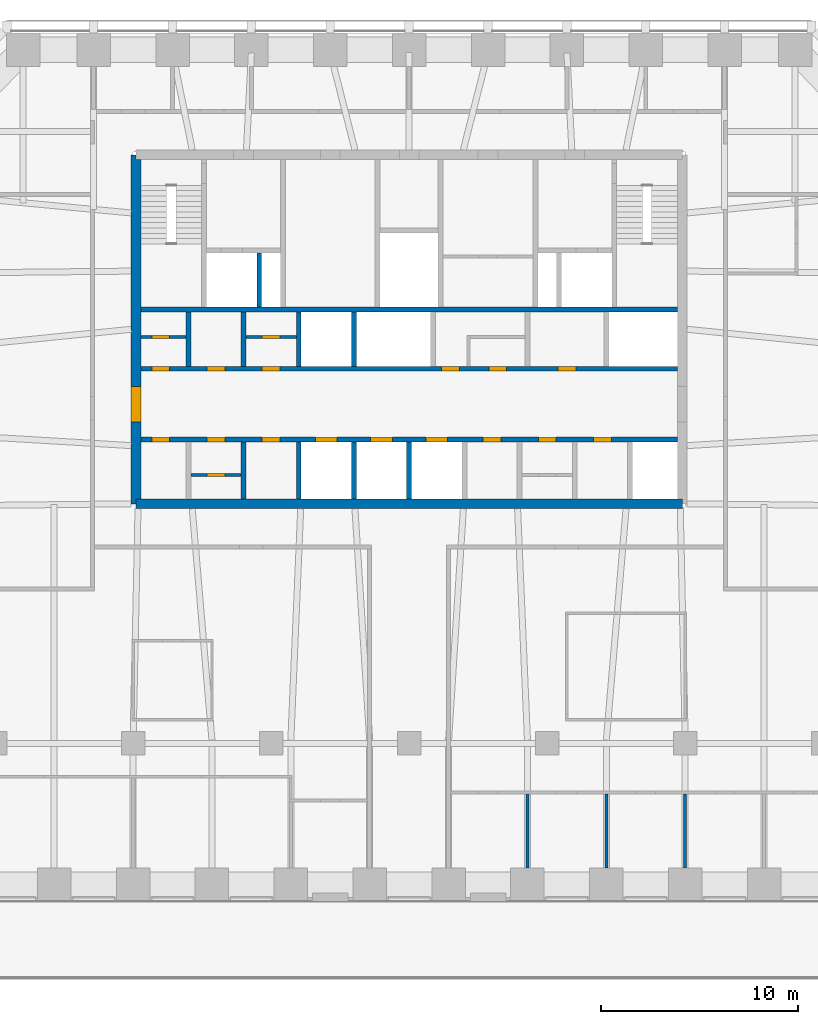
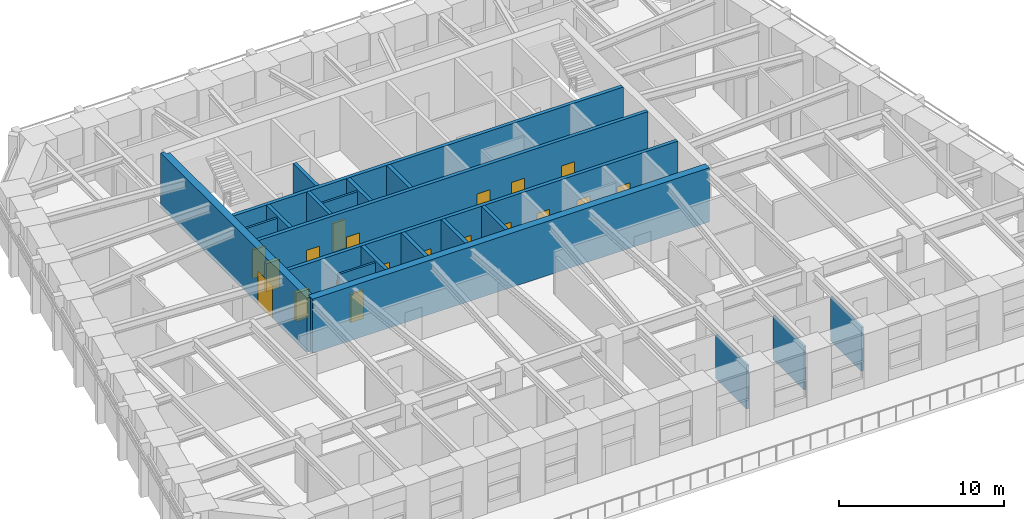
# One storey, part 6 of 10: 20 walls, 19 doors, 19 openings.
"""IFC4 building model written with IfcOpenShell, lengths in metres."""

from ifc_helpers import new_model, si_unit, direction, frame, frame_2d, origin, place, context, subcontext, project, spatial, polyline, rectangle, outline, extrude, material, layer, layer_set, type_object, element, fill, save


model = new_model("IFC4")

# Units and contexts
model_context = context("Model", 3, precision=1e-05, world=origin(), true_north=direction((0.0, 1.0)))
body_context = subcontext(model_context, "Body", "Model", "MODEL_VIEW")
ifc_project = project(units=[si_unit("LENGTHUNIT", "METRE"), si_unit("AREAUNIT", "SQUARE_METRE"), si_unit("VOLUMEUNIT", "CUBIC_METRE"), si_unit("PLANEANGLEUNIT", "RADIAN"), si_unit("MASSUNIT", "GRAM", prefix="KILO")], contexts=[model_context])

# Site, building, storey
site_placement = place(None, origin())
site = spatial("IfcSite", under=ifc_project, at=site_placement, CompositionType="ELEMENT")
building_placement = place(site_placement, origin())
building = spatial("IfcBuilding", under=site, at=building_placement, Name="Isbrekke Arena Tower", CompositionType="ELEMENT")
storey_placement = place(building_placement, frame((0.0, 0.0, 260.0)))
storey = spatial("IfcBuildingStorey", under=building, at=storey_placement, Name="L60", CompositionType="ELEMENT", Elevation=260.0)

# Wall
ifc_material_1 = material(Name="Concrete B55 (C55/67)", Category="concrete")
ifc_layer_1 = layer(ifc_material_1, 0.5)
ifc_layer_set_1 = layer_set([ifc_layer_1], Name="CW5 CORE WALL 500")
wall_type_1 = type_object("IfcWallType", Name="CW5 CORE WALL 500", PredefinedType="SHEAR", material=ifc_layer_set_1)
wall_1_placement = place(storey_placement, frame((-13.85009765625, 6.14990234375, 0.0), z_axis=(0.0, 0.0, 1.0), x_axis=(1.0, 0.0, 0.0)))
element("IfcWall", 1, at=wall_1_placement, inside=storey, type_object=wall_type_1, Name="Core wall S L60", PredefinedType="SHEAR", context=body_context, shape_type="SweptSolid", body=[
    extrude(rectangle(XDim=27.7001953125, YDim=0.5, at=frame_2d((13.85009765625, 0.0))), origin(), (0.0, 0.0, 1.0), 4.0),
])

# Wall, opening, door
wall_2_placement = place(storey_placement, frame((-13.85009765625, 23.85009765625, 0.0), z_axis=(0.0, 0.0, 1.0), x_axis=(0.0, -1.0, 0.0)))
wall_2 = element("IfcWall", 2, at=wall_2_placement, inside=storey, type_object=wall_type_1, Name="Core wall W L60", PredefinedType="SHEAR", context=body_context, shape_type="SweptSolid", body=[
    extrude(outline(polyline([(0.0, -0.25), (17.7001953125, -0.25), (17.7001953125, 0.0), (17.4501953125, 0.0), (17.4501953125, 0.25), (0.25, 0.25), (0.25, 0.0), (0.0, 0.0), (0.0, -0.25)])), origin(), (0.0, 0.0, 1.0), 4.0),
])
opening_1_placement = place(wall_2_placement, frame((11.75, 0.0, 0.0)))
opening_1 = element("IfcOpeningElement", 3, at=opening_1_placement, cuts=wall_2, Name="Opening D1", PredefinedType="OPENING", context=body_context, shape_type="SweptSolid", body=[
    extrude(rectangle(XDim=1.800048828125, YDim=2.39990234375, at=frame_2d((0.89990234375, 1.199951171875))), frame((0.0, 0.264892578125, 0.0), z_axis=(0.0, -1.0, 0.0), x_axis=(1.0, 0.0, 0.0)), (0.0, 0.0, 1.0), 0.52978515625),
])
ifc_material_2 = material(Name="Steel-framed glazed fire door", Category="steel")
door_type_1 = type_object("IfcDoorType", Name="D1 CORE LOBBY DOOR 1800 x 2400", OperationType="DOUBLE_DOOR_SINGLE_SWING", PredefinedType="DOOR", material=ifc_material_2)
door_1_placement = place(opening_1_placement, origin())
door_1 = element("IfcDoor", 4, at=door_1_placement, inside=storey, type_object=door_type_1, Name="D1 lift lobby door west L60", OperationType="DOUBLE_DOOR_SINGLE_SWING", OverallHeight=2.39990234375, OverallWidth=1.800048828125, PredefinedType="DOOR", context=body_context, shape_type="SweptSolid", body=[
    extrude(rectangle(XDim=1.800048828125, YDim=2.39990234375, at=frame_2d((0.89990234375, 1.199951171875))), frame((0.0, 0.249755859375, 0.0), z_axis=(0.0, -1.0, 0.0), x_axis=(1.0, 0.0, 0.0)), (0.0, 0.0, 1.0), 0.49951171875),
])
fill(opening_1, door_1)

# Wall, openings, doors
ifc_material_3 = material(Name="Concrete B45 (C45/55)", Category="concrete")
ifc_layer_2 = layer(ifc_material_3, 0.25)
ifc_layer_set_2 = layer_set([ifc_layer_2], Name="CW6 SHAFT WALL 250")
wall_type_2 = type_object("IfcWallType", Name="CW6 SHAFT WALL 250", PredefinedType="SHEAR", material=ifc_layer_set_2)
wall_3_placement = place(storey_placement, frame((-13.60009765625, 9.39990234375, 0.0), z_axis=(0.0, 0.0, 1.0), x_axis=(1.0, 0.0, 0.0)))
wall_3 = element("IfcWall", 5, at=wall_3_placement, inside=storey, type_object=wall_type_2, Name="Core wall LS L60", PredefinedType="SHEAR", context=body_context, shape_type="SweptSolid", body=[
    extrude(rectangle(XDim=27.2001953125, YDim=0.25, at=frame_2d((13.60009765625, 0.0))), origin(), (0.0, 0.0, 1.0), 4.0),
])
opening_2_placement = place(wall_3_placement, frame((8.85009765625, 0.0, 0.0)))
opening_2 = element("IfcOpeningElement", 6, at=opening_2_placement, cuts=wall_3, Name="Opening LD1", PredefinedType="OPENING", context=body_context, shape_type="SweptSolid", body=[
    extrude(rectangle(XDim=1.10009765625, YDim=2.10009765625, at=frame_2d((0.550048828125, 1.050048828125))), frame((0.0, 0.139892578125, 0.0), z_axis=(0.0, -1.0, 0.0), x_axis=(1.0, 0.0, 0.0)), (0.0, 0.0, 1.0), 0.27978515625),
])
opening_3_placement = place(wall_3_placement, frame((11.64990234375, 0.0, 0.0)))
opening_3 = element("IfcOpeningElement", 7, at=opening_3_placement, cuts=wall_3, Name="Opening LD1", PredefinedType="OPENING", context=body_context, shape_type="SweptSolid", body=[
    extrude(rectangle(XDim=1.10009765625, YDim=2.10009765625, at=frame_2d((0.550048828125, 1.050048828125))), frame((0.0, 0.139892578125, 0.0), z_axis=(0.0, -1.0, 0.0), x_axis=(1.0, 0.0, 0.0)), (0.0, 0.0, 1.0), 0.27978515625),
])
opening_4_placement = place(wall_3_placement, frame((14.449951171875, 0.0, 0.0)))
opening_4 = element("IfcOpeningElement", 8, at=opening_4_placement, cuts=wall_3, Name="Opening LD1", PredefinedType="OPENING", context=body_context, shape_type="SweptSolid", body=[
    extrude(rectangle(XDim=1.10009765625, YDim=2.10009765625, at=frame_2d((0.550048828125, 1.050048828125))), frame((0.0, 0.139892578125, 0.0), z_axis=(0.0, -1.0, 0.0), x_axis=(1.0, 0.0, 0.0)), (0.0, 0.0, 1.0), 0.27978515625),
])
opening_5_placement = place(wall_3_placement, frame((0.550048828125, 0.0, 0.0)))
opening_5 = element("IfcOpeningElement", 9, at=opening_5_placement, cuts=wall_3, Name="Opening D5", PredefinedType="OPENING", context=body_context, shape_type="SweptSolid", body=[
    extrude(rectangle(XDim=0.89990234375, YDim=2.10009765625, at=frame_2d((0.449951171875, 1.050048828125))), frame((0.0, 0.139892578125, 0.0), z_axis=(0.0, -1.0, 0.0), x_axis=(1.0, 0.0, 0.0)), (0.0, 0.0, 1.0), 0.27978515625),
])
opening_6_placement = place(wall_3_placement, frame((3.35009765625, 0.0, 0.0)))
opening_6 = element("IfcOpeningElement", 10, at=opening_6_placement, cuts=wall_3, Name="Opening D5", PredefinedType="OPENING", context=body_context, shape_type="SweptSolid", body=[
    extrude(rectangle(XDim=0.89990234375, YDim=2.10009765625, at=frame_2d((0.449951171875, 1.050048828125))), frame((0.0, 0.139892578125, 0.0), z_axis=(0.0, -1.0, 0.0), x_axis=(1.0, 0.0, 0.0)), (0.0, 0.0, 1.0), 0.27978515625),
])
opening_7_placement = place(wall_3_placement, frame((6.14990234375, 0.0, 0.0)))
opening_7 = element("IfcOpeningElement", 11, at=opening_7_placement, cuts=wall_3, Name="Opening D5", PredefinedType="OPENING", context=body_context, shape_type="SweptSolid", body=[
    extrude(rectangle(XDim=0.89990234375, YDim=2.10009765625, at=frame_2d((0.449951171875, 1.050048828125))), frame((0.0, 0.139892578125, 0.0), z_axis=(0.0, -1.0, 0.0), x_axis=(1.0, 0.0, 0.0)), (0.0, 0.0, 1.0), 0.27978515625),
])
opening_8_placement = place(wall_3_placement, frame((17.35009765625, 0.0, 0.0)))
opening_8 = element("IfcOpeningElement", 12, at=opening_8_placement, cuts=wall_3, Name="Opening D5", PredefinedType="OPENING", context=body_context, shape_type="SweptSolid", body=[
    extrude(rectangle(XDim=0.89990234375, YDim=2.10009765625, at=frame_2d((0.449951171875, 1.050048828125))), frame((0.0, 0.139892578125, 0.0), z_axis=(0.0, -1.0, 0.0), x_axis=(1.0, 0.0, 0.0)), (0.0, 0.0, 1.0), 0.27978515625),
])
opening_9_placement = place(wall_3_placement, frame((20.14990234375, 0.0, 0.0)))
opening_9 = element("IfcOpeningElement", 13, at=opening_9_placement, cuts=wall_3, Name="Opening D5", PredefinedType="OPENING", context=body_context, shape_type="SweptSolid", body=[
    extrude(rectangle(XDim=0.89990234375, YDim=2.10009765625, at=frame_2d((0.449951171875, 1.050048828125))), frame((0.0, 0.139892578125, 0.0), z_axis=(0.0, -1.0, 0.0), x_axis=(1.0, 0.0, 0.0)), (0.0, 0.0, 1.0), 0.27978515625),
])
opening_10_placement = place(wall_3_placement, frame((22.949951171875, 0.0, 0.0)))
opening_10 = element("IfcOpeningElement", 14, at=opening_10_placement, cuts=wall_3, Name="Opening D5", PredefinedType="OPENING", context=body_context, shape_type="SweptSolid", body=[
    extrude(rectangle(XDim=0.89990234375, YDim=2.10009765625, at=frame_2d((0.449951171875, 1.050048828125))), frame((0.0, 0.139892578125, 0.0), z_axis=(0.0, -1.0, 0.0), x_axis=(1.0, 0.0, 0.0)), (0.0, 0.0, 1.0), 0.27978515625),
])
ifc_material_4 = material(Name="Steel fire door", Category="steel")
door_type_2 = type_object("IfcDoorType", Name="D5 SERVICE DOOR 900 x 2100", OperationType="SINGLE_SWING_LEFT", PredefinedType="DOOR", material=ifc_material_4)
door_2_placement = place(opening_5_placement, origin())
door_2 = element("IfcDoor", 15, at=door_2_placement, inside=storey, type_object=door_type_2, Name="D5 print room door L60", OperationType="SINGLE_SWING_LEFT", OverallHeight=2.10009765625, OverallWidth=0.89990234375, PredefinedType="DOOR", context=body_context, shape_type="SweptSolid", body=[
    extrude(rectangle(XDim=0.89990234375, YDim=2.10009765625, at=frame_2d((0.449951171875, 1.050048828125))), frame((0.0, 0.124755859375, 0.0), z_axis=(0.0, -1.0, 0.0), x_axis=(1.0, 0.0, 0.0)), (0.0, 0.0, 1.0), 0.24951171875),
])
fill(opening_5, door_2)
door_3_placement = place(opening_6_placement, origin())
door_3 = element("IfcDoor", 16, at=door_3_placement, inside=storey, type_object=door_type_2, Name="D5 first-aid room door L60", OperationType="SINGLE_SWING_LEFT", OverallHeight=2.10009765625, OverallWidth=0.89990234375, PredefinedType="DOOR", context=body_context, shape_type="SweptSolid", body=[
    extrude(rectangle(XDim=0.89990234375, YDim=2.10009765625, at=frame_2d((0.449951171875, 1.050048828125))), frame((0.0, 0.124755859375, 0.0), z_axis=(0.0, -1.0, 0.0), x_axis=(1.0, 0.0, 0.0)), (0.0, 0.0, 1.0), 0.24951171875),
])
fill(opening_6, door_3)
door_4_placement = place(opening_7_placement, origin())
door_4 = element("IfcDoor", 17, at=door_4_placement, inside=storey, type_object=door_type_2, Name="D5 tenant store door L60", OperationType="SINGLE_SWING_LEFT", OverallHeight=2.10009765625, OverallWidth=0.89990234375, PredefinedType="DOOR", context=body_context, shape_type="SweptSolid", body=[
    extrude(rectangle(XDim=0.89990234375, YDim=2.10009765625, at=frame_2d((0.449951171875, 1.050048828125))), frame((0.0, 0.124755859375, 0.0), z_axis=(0.0, -1.0, 0.0), x_axis=(1.0, 0.0, 0.0)), (0.0, 0.0, 1.0), 0.24951171875),
])
fill(opening_7, door_4)
door_5_placement = place(opening_8_placement, origin())
door_5 = element("IfcDoor", 18, at=door_5_placement, inside=storey, type_object=door_type_2, Name="D5 technical room door L60", OperationType="SINGLE_SWING_LEFT", OverallHeight=2.10009765625, OverallWidth=0.89990234375, PredefinedType="DOOR", context=body_context, shape_type="SweptSolid", body=[
    extrude(rectangle(XDim=0.89990234375, YDim=2.10009765625, at=frame_2d((0.449951171875, 1.050048828125))), frame((0.0, 0.124755859375, 0.0), z_axis=(0.0, -1.0, 0.0), x_axis=(1.0, 0.0, 0.0)), (0.0, 0.0, 1.0), 0.24951171875),
])
fill(opening_8, door_5)
door_6_placement = place(opening_9_placement, origin())
door_6 = element("IfcDoor", 19, at=door_6_placement, inside=storey, type_object=door_type_2, Name="D5 mothers' room door L60", OperationType="SINGLE_SWING_LEFT", OverallHeight=2.10009765625, OverallWidth=0.89990234375, PredefinedType="DOOR", context=body_context, shape_type="SweptSolid", body=[
    extrude(rectangle(XDim=0.89990234375, YDim=2.10009765625, at=frame_2d((0.449951171875, 1.050048828125))), frame((0.0, 0.124755859375, 0.0), z_axis=(0.0, -1.0, 0.0), x_axis=(1.0, 0.0, 0.0)), (0.0, 0.0, 1.0), 0.24951171875),
])
fill(opening_9, door_6)
door_7_placement = place(opening_10_placement, origin())
door_7 = element("IfcDoor", 20, at=door_7_placement, inside=storey, type_object=door_type_2, Name="D5 print room door L60", OperationType="SINGLE_SWING_LEFT", OverallHeight=2.10009765625, OverallWidth=0.89990234375, PredefinedType="DOOR", context=body_context, shape_type="SweptSolid", body=[
    extrude(rectangle(XDim=0.89990234375, YDim=2.10009765625, at=frame_2d((0.449951171875, 1.050048828125))), frame((0.0, 0.124755859375, 0.0), z_axis=(0.0, -1.0, 0.0), x_axis=(1.0, 0.0, 0.0)), (0.0, 0.0, 1.0), 0.24951171875),
])
fill(opening_10, door_7)
ifc_material_5 = material(Name="Stainless steel lift landing door", Category="steel")
door_type_3 = type_object("IfcDoorType", Name="LD1 LIFT LANDING DOOR 1100 x 2100", OperationType="SLIDING_TO_LEFT", PredefinedType="DOOR", material=ifc_material_5)
door_8_placement = place(opening_2_placement, origin())
door_8 = element("IfcDoor", 21, at=door_8_placement, inside=storey, type_object=door_type_3, Name="LD1 lift landing door LE L60", OperationType="SLIDING_TO_LEFT", OverallHeight=2.10009765625, OverallWidth=1.10009765625, PredefinedType="DOOR", context=body_context, shape_type="SweptSolid", body=[
    extrude(rectangle(XDim=1.10009765625, YDim=2.10009765625, at=frame_2d((0.550048828125, 1.050048828125))), frame((0.0, 0.124755859375, 0.0), z_axis=(0.0, -1.0, 0.0), x_axis=(1.0, 0.0, 0.0)), (0.0, 0.0, 1.0), 0.24951171875),
])
fill(opening_2, door_8)
door_9_placement = place(opening_3_placement, origin())
door_9 = element("IfcDoor", 22, at=door_9_placement, inside=storey, type_object=door_type_3, Name="LD1 lift landing door LE L60", OperationType="SLIDING_TO_LEFT", OverallHeight=2.10009765625, OverallWidth=1.10009765625, PredefinedType="DOOR", context=body_context, shape_type="SweptSolid", body=[
    extrude(rectangle(XDim=1.10009765625, YDim=2.10009765625, at=frame_2d((0.550048828125, 1.050048828125))), frame((0.0, 0.124755859375, 0.0), z_axis=(0.0, -1.0, 0.0), x_axis=(1.0, 0.0, 0.0)), (0.0, 0.0, 1.0), 0.24951171875),
])
fill(opening_3, door_9)
door_10_placement = place(opening_4_placement, origin())
door_10 = element("IfcDoor", 23, at=door_10_placement, inside=storey, type_object=door_type_3, Name="LD1 lift landing door LE L60", OperationType="SLIDING_TO_LEFT", OverallHeight=2.10009765625, OverallWidth=1.10009765625, PredefinedType="DOOR", context=body_context, shape_type="SweptSolid", body=[
    extrude(rectangle(XDim=1.10009765625, YDim=2.10009765625, at=frame_2d((0.550048828125, 1.050048828125))), frame((0.0, 0.124755859375, 0.0), z_axis=(0.0, -1.0, 0.0), x_axis=(1.0, 0.0, 0.0)), (0.0, 0.0, 1.0), 0.24951171875),
])
fill(opening_4, door_10)

wall_4_placement = place(storey_placement, frame((-13.60009765625, 13.0, 0.0), z_axis=(0.0, 0.0, 1.0), x_axis=(1.0, 0.0, 0.0)))
wall_4 = element("IfcWall", 24, at=wall_4_placement, inside=storey, type_object=wall_type_2, Name="Core wall LN L60", PredefinedType="SHEAR", context=body_context, shape_type="SweptSolid", body=[
    extrude(rectangle(XDim=27.2001953125, YDim=0.25, at=frame_2d((13.60009765625, 0.0))), origin(), (0.0, 0.0, 1.0), 4.0),
])
opening_11_placement = place(wall_4_placement, frame((15.25, 0.0, 0.0)))
opening_11 = element("IfcOpeningElement", 25, at=opening_11_placement, cuts=wall_4, Name="Opening D5", PredefinedType="OPENING", context=body_context, shape_type="SweptSolid", body=[
    extrude(rectangle(XDim=0.89990234375, YDim=2.10009765625, at=frame_2d((0.449951171875, 1.050048828125))), frame((0.0, 0.139892578125, 0.0), z_axis=(0.0, -1.0, 0.0), x_axis=(1.0, 0.0, 0.0)), (0.0, 0.0, 1.0), 0.27978515625),
])
opening_12_placement = place(wall_4_placement, frame((17.64990234375, 0.0, 0.0)))
opening_12 = element("IfcOpeningElement", 26, at=opening_12_placement, cuts=wall_4, Name="Opening D5", PredefinedType="OPENING", context=body_context, shape_type="SweptSolid", body=[
    extrude(rectangle(XDim=0.89990234375, YDim=2.10009765625, at=frame_2d((0.449951171875, 1.050048828125))), frame((0.0, 0.139892578125, 0.0), z_axis=(0.0, -1.0, 0.0), x_axis=(1.0, 0.0, 0.0)), (0.0, 0.0, 1.0), 0.27978515625),
])
opening_13_placement = place(wall_4_placement, frame((21.14990234375, 0.0, 0.0)))
opening_13 = element("IfcOpeningElement", 27, at=opening_13_placement, cuts=wall_4, Name="Opening D5", PredefinedType="OPENING", context=body_context, shape_type="SweptSolid", body=[
    extrude(rectangle(XDim=0.89990234375, YDim=2.10009765625, at=frame_2d((0.449951171875, 1.050048828125))), frame((0.0, 0.139892578125, 0.0), z_axis=(0.0, -1.0, 0.0), x_axis=(1.0, 0.0, 0.0)), (0.0, 0.0, 1.0), 0.27978515625),
])
opening_14_placement = place(wall_4_placement, frame((0.550048828125, 0.0, 0.0)))
opening_14 = element("IfcOpeningElement", 28, at=opening_14_placement, cuts=wall_4, Name="Opening D5", PredefinedType="OPENING", context=body_context, shape_type="SweptSolid", body=[
    extrude(rectangle(XDim=0.89990234375, YDim=2.10009765625, at=frame_2d((0.449951171875, 1.050048828125))), frame((0.0, 0.139892578125, 0.0), z_axis=(0.0, -1.0, 0.0), x_axis=(1.0, 0.0, 0.0)), (0.0, 0.0, 1.0), 0.27978515625),
])
opening_15_placement = place(wall_4_placement, frame((3.35009765625, 0.0, 0.0)))
opening_15 = element("IfcOpeningElement", 29, at=opening_15_placement, cuts=wall_4, Name="Opening D5", PredefinedType="OPENING", context=body_context, shape_type="SweptSolid", body=[
    extrude(rectangle(XDim=0.89990234375, YDim=2.10009765625, at=frame_2d((0.449951171875, 1.050048828125))), frame((0.0, 0.139892578125, 0.0), z_axis=(0.0, -1.0, 0.0), x_axis=(1.0, 0.0, 0.0)), (0.0, 0.0, 1.0), 0.27978515625),
])
opening_16_placement = place(wall_4_placement, frame((6.14990234375, 0.0, 0.0)))
opening_16 = element("IfcOpeningElement", 30, at=opening_16_placement, cuts=wall_4, Name="Opening D5", PredefinedType="OPENING", context=body_context, shape_type="SweptSolid", body=[
    extrude(rectangle(XDim=0.89990234375, YDim=2.10009765625, at=frame_2d((0.449951171875, 1.050048828125))), frame((0.0, 0.139892578125, 0.0), z_axis=(0.0, -1.0, 0.0), x_axis=(1.0, 0.0, 0.0)), (0.0, 0.0, 1.0), 0.27978515625),
])
door_11_placement = place(opening_11_placement, origin())
door_11 = element("IfcDoor", 31, at=door_11_placement, inside=storey, type_object=door_type_2, Name="D5 communications room door L60", OperationType="SINGLE_SWING_LEFT", OverallHeight=2.10009765625, OverallWidth=0.89990234375, PredefinedType="DOOR", context=body_context, shape_type="SweptSolid", body=[
    extrude(rectangle(XDim=0.89990234375, YDim=2.10009765625, at=frame_2d((0.449951171875, 1.050048828125))), frame((0.0, 0.124755859375, 0.0), z_axis=(0.0, -1.0, 0.0), x_axis=(1.0, 0.0, 0.0)), (0.0, 0.0, 1.0), 0.24951171875),
])
fill(opening_11, door_11)
door_12_placement = place(opening_12_placement, origin())
door_12 = element("IfcDoor", 32, at=door_12_placement, inside=storey, type_object=door_type_2, Name="D5 cleaner's store door L60", OperationType="SINGLE_SWING_LEFT", OverallHeight=2.10009765625, OverallWidth=0.89990234375, PredefinedType="DOOR", context=body_context, shape_type="SweptSolid", body=[
    extrude(rectangle(XDim=0.89990234375, YDim=2.10009765625, at=frame_2d((0.449951171875, 1.050048828125))), frame((0.0, 0.124755859375, 0.0), z_axis=(0.0, -1.0, 0.0), x_axis=(1.0, 0.0, 0.0)), (0.0, 0.0, 1.0), 0.24951171875),
])
fill(opening_12, door_12)
door_13_placement = place(opening_13_placement, origin())
door_13 = element("IfcDoor", 33, at=door_13_placement, inside=storey, type_object=door_type_2, Name="D5 meeting room door L60", OperationType="SINGLE_SWING_LEFT", OverallHeight=2.10009765625, OverallWidth=0.89990234375, PredefinedType="DOOR", context=body_context, shape_type="SweptSolid", body=[
    extrude(rectangle(XDim=0.89990234375, YDim=2.10009765625, at=frame_2d((0.449951171875, 1.050048828125))), frame((0.0, 0.124755859375, 0.0), z_axis=(0.0, -1.0, 0.0), x_axis=(1.0, 0.0, 0.0)), (0.0, 0.0, 1.0), 0.24951171875),
])
fill(opening_13, door_13)
door_14_placement = place(opening_14_placement, origin())
door_14 = element("IfcDoor", 34, at=door_14_placement, inside=storey, type_object=door_type_2, Name="D5 pantry door L60", OperationType="SINGLE_SWING_LEFT", OverallHeight=2.10009765625, OverallWidth=0.89990234375, PredefinedType="DOOR", context=body_context, shape_type="SweptSolid", body=[
    extrude(rectangle(XDim=0.89990234375, YDim=2.10009765625, at=frame_2d((0.449951171875, 1.050048828125))), frame((0.0, 0.124755859375, 0.0), z_axis=(0.0, -1.0, 0.0), x_axis=(1.0, 0.0, 0.0)), (0.0, 0.0, 1.0), 0.24951171875),
])
fill(opening_14, door_14)
door_15_placement = place(opening_15_placement, origin())
door_15 = element("IfcDoor", 35, at=door_15_placement, inside=storey, type_object=door_type_2, Name="D5 archive door L60", OperationType="SINGLE_SWING_LEFT", OverallHeight=2.10009765625, OverallWidth=0.89990234375, PredefinedType="DOOR", context=body_context, shape_type="SweptSolid", body=[
    extrude(rectangle(XDim=0.89990234375, YDim=2.10009765625, at=frame_2d((0.449951171875, 1.050048828125))), frame((0.0, 0.124755859375, 0.0), z_axis=(0.0, -1.0, 0.0), x_axis=(1.0, 0.0, 0.0)), (0.0, 0.0, 1.0), 0.24951171875),
])
fill(opening_15, door_15)
door_16_placement = place(opening_16_placement, origin())
door_16 = element("IfcDoor", 36, at=door_16_placement, inside=storey, type_object=door_type_2, Name="D5 print room door L60", OperationType="SINGLE_SWING_LEFT", OverallHeight=2.10009765625, OverallWidth=0.89990234375, PredefinedType="DOOR", context=body_context, shape_type="SweptSolid", body=[
    extrude(rectangle(XDim=0.89990234375, YDim=2.10009765625, at=frame_2d((0.449951171875, 1.050048828125))), frame((0.0, 0.124755859375, 0.0), z_axis=(0.0, -1.0, 0.0), x_axis=(1.0, 0.0, 0.0)), (0.0, 0.0, 1.0), 0.24951171875),
])
fill(opening_16, door_16)

# Walls
wall_5_placement = place(storey_placement, frame((-13.60009765625, 16.0, 0.0), z_axis=(0.0, 0.0, 1.0), x_axis=(1.0, 0.0, 0.0)))
element("IfcWall", 37, at=wall_5_placement, inside=storey, type_object=wall_type_2, Name="Core wall NB L60", PredefinedType="SHEAR", context=body_context, shape_type="SweptSolid", body=[
    extrude(rectangle(XDim=27.2001953125, YDim=0.25, at=frame_2d((13.60009765625, 0.0))), origin(), (0.0, 0.0, 1.0), 4.0),
])
for number, where, z_axis, x_axis, name in (
    (38, (-8.39990234375, 6.39990234375, 0.0), (0.0, 0.0, 1.0), (0.0, 1.0, 0.0), "Core wall SS02 L60"),
    (39, (-5.60009765625, 6.39990234375, 0.0), (0.0, 0.0, 1.0), (0.0, 1.0, 0.0), "Core wall SS03 L60"),
    (40, (-2.800048828125, 6.39990234375, 0.0), (0.0, 0.0, 1.0), (0.0, 1.0, 0.0), "Core wall SS04 L60"),
    (41, (0.0, 6.39990234375, 0.0), (0.0, 0.0, 1.0), (0.0, 1.0, 0.0), "Core wall SS05 L60"),
):
    element("IfcWall", number, at=place(storey_placement, frame(where, z_axis=z_axis, x_axis=x_axis)), inside=storey, type_object=wall_type_2, Name=name, PredefinedType="SHEAR", context=body_context, shape_type="SweptSolid", body=[
        extrude(rectangle(XDim=2.875, YDim=0.25, at=frame_2d((1.4375, 0.0))), origin(), (0.0, 0.0, 1.0), 4.0),
    ])
for number, where, z_axis, x_axis, name in (
    (42, (-11.199951171875, 13.125, 0.0), (0.0, 0.0, 1.0), (0.0, 1.0, 0.0), "Core wall SN01 L60"),
    (43, (-8.39990234375, 13.125, 0.0), (0.0, 0.0, 1.0), (0.0, 1.0, 0.0), "Core wall SN02 L60"),
    (44, (-5.60009765625, 13.125, 0.0), (0.0, 0.0, 1.0), (0.0, 1.0, 0.0), "Core wall SN03 L60"),
    (45, (-2.800048828125, 13.125, 0.0), (0.0, 0.0, 1.0), (0.0, 1.0, 0.0), "Core wall SN04 L60"),
    (46, (-7.60009765625, 16.125, 0.0), (0.0, 0.0, 1.0), (0.0, 1.0, 0.0), "Core wall NFS1 L60"),
):
    element("IfcWall", number, at=place(storey_placement, frame(where, z_axis=z_axis, x_axis=x_axis)), inside=storey, type_object=wall_type_2, Name=name, PredefinedType="SHEAR", context=body_context, shape_type="SweptSolid", body=[
        extrude(rectangle(XDim=2.75, YDim=0.25, at=frame_2d((1.375, 0.0))), origin(), (0.0, 0.0, 1.0), 4.0),
    ])
ifc_material_6 = material(Name="Gypsum board partition on steel studs", Category="steel")
ifc_layer_3 = layer(ifc_material_6, 0.14990234375)
ifc_layer_set_3 = layer_set([ifc_layer_3], Name="IW1 PARTITION 150")
wall_type_3 = type_object("IfcWallType", Name="IW1 PARTITION 150", PredefinedType="PARTITIONING", material=ifc_layer_set_3)
for number, where, z_axis, x_axis, name in (
    (47, (6.0, -12.324951171875, 0.0), (0.0, 0.0, 1.0), (0.0, 1.0, 0.0), "IW1 partition 150 L60"),
    (48, (10.0, -12.324951171875, 0.0), (0.0, 0.0, 1.0), (0.0, 1.0, 0.0), "IW1 partition 150 L60"),
    (49, (14.0, -12.324951171875, 0.0), (0.0, 0.0, 1.0), (0.0, 1.0, 0.0), "IW1 partition 150 L60"),
):
    element("IfcWall", number, at=place(storey_placement, frame(where, z_axis=z_axis, x_axis=x_axis)), inside=storey, type_object=wall_type_3, Name=name, PredefinedType="PARTITIONING", context=body_context, shape_type="SweptSolid", body=[
        extrude(rectangle(XDim=3.75, YDim=0.14990234375, at=frame_2d((1.875, 0.0))), origin(), (0.0, 0.0, 1.0), 3.22998046875),
    ])

# Wall, opening, door
ifc_material_7 = material(Name="Gypsum board fire-rated partition on steel studs, two layers each side", Category="steel")
ifc_layer_4 = layer(ifc_material_7, 0.14990234375)
ifc_layer_set_4 = layer_set([ifc_layer_4], Name="IW5 FIRE-RATED PARTITION 150")
wall_type_4 = type_object("IfcWallType", Name="IW5 FIRE-RATED PARTITION 150", PredefinedType="PARTITIONING", material=ifc_layer_set_4)
wall_6_placement = place(storey_placement, frame((-13.60009765625, 14.60009765625, 0.0), z_axis=(0.0, 0.0, 1.0), x_axis=(1.0, 0.0, 0.0)))
wall_6 = element("IfcWall", 50, at=wall_6_placement, inside=storey, type_object=wall_type_4, Name="IW5 fire-rated partition L60 core service rooms 3", PredefinedType="PARTITIONING", context=body_context, shape_type="SweptSolid", body=[
    extrude(rectangle(XDim=2.275146484375, YDim=0.14990234375, at=frame_2d((1.1376953125, 0.0))), origin(), (0.0, 0.0, 1.0), 3.85009765625),
])
opening_17_placement = place(wall_6_placement, frame((0.550048828125, 0.0, 0.0)))
opening_17 = element("IfcOpeningElement", 51, at=opening_17_placement, cuts=wall_6, Name="Opening D5", PredefinedType="OPENING", context=body_context, shape_type="SweptSolid", body=[
    extrude(rectangle(XDim=0.89990234375, YDim=2.10009765625, at=frame_2d((0.449951171875, 1.050048828125))), frame((0.0, 0.08984375, 0.0), z_axis=(0.0, -1.0, 0.0), x_axis=(1.0, 0.0, 0.0)), (0.0, 0.0, 1.0), 0.1796875),
])
door_17_placement = place(opening_17_placement, origin())
door_17 = element("IfcDoor", 52, at=door_17_placement, inside=storey, type_object=door_type_2, Name="D5 tenant store door L60", OperationType="SINGLE_SWING_LEFT", OverallHeight=2.10009765625, OverallWidth=0.89990234375, PredefinedType="DOOR", context=body_context, shape_type="SweptSolid", body=[
    extrude(rectangle(XDim=0.89990234375, YDim=2.10009765625, at=frame_2d((0.449951171875, 1.050048828125))), frame((0.0, 0.07470703125, 0.0), z_axis=(0.0, -1.0, 0.0), x_axis=(1.0, 0.0, 0.0)), (0.0, 0.0, 1.0), 0.1494140625),
])
fill(opening_17, door_17)

wall_7_placement = place(storey_placement, frame((-8.27490234375, 14.60009765625, 0.0), z_axis=(0.0, 0.0, 1.0), x_axis=(1.0, 0.0, 0.0)))
wall_7 = element("IfcWall", 53, at=wall_7_placement, inside=storey, type_object=wall_type_4, Name="IW5 fire-rated partition L60 core service rooms 4", PredefinedType="PARTITIONING", context=body_context, shape_type="SweptSolid", body=[
    extrude(rectangle(XDim=2.5498046875, YDim=0.14990234375, at=frame_2d((1.27490234375, 0.0))), origin(), (0.0, 0.0, 1.0), 3.85009765625),
])
opening_18_placement = place(wall_7_placement, frame((0.824951171875, 0.0, 0.0)))
opening_18 = element("IfcOpeningElement", 54, at=opening_18_placement, cuts=wall_7, Name="Opening D5", PredefinedType="OPENING", context=body_context, shape_type="SweptSolid", body=[
    extrude(rectangle(XDim=0.89990234375, YDim=2.10009765625, at=frame_2d((0.449951171875, 1.050048828125))), frame((0.0, 0.08984375, 0.0), z_axis=(0.0, -1.0, 0.0), x_axis=(1.0, 0.0, 0.0)), (0.0, 0.0, 1.0), 0.1796875),
])
door_18_placement = place(opening_18_placement, origin())
door_18 = element("IfcDoor", 55, at=door_18_placement, inside=storey, type_object=door_type_2, Name="D5 store door L60", OperationType="SINGLE_SWING_LEFT", OverallHeight=2.10009765625, OverallWidth=0.89990234375, PredefinedType="DOOR", context=body_context, shape_type="SweptSolid", body=[
    extrude(rectangle(XDim=0.89990234375, YDim=2.10009765625, at=frame_2d((0.449951171875, 1.050048828125))), frame((0.0, 0.07470703125, 0.0), z_axis=(0.0, -1.0, 0.0), x_axis=(1.0, 0.0, 0.0)), (0.0, 0.0, 1.0), 0.1494140625),
])
fill(opening_18, door_18)

wall_8_placement = place(storey_placement, frame((-11.074951171875, 7.60009765625, 0.0), z_axis=(0.0, 0.0, 1.0), x_axis=(1.0, 0.0, 0.0)))
wall_8 = element("IfcWall", 56, at=wall_8_placement, inside=storey, type_object=wall_type_4, Name="IW5 fire-rated partition L60 core service rooms 5", PredefinedType="PARTITIONING", context=body_context, shape_type="SweptSolid", body=[
    extrude(rectangle(XDim=2.550048828125, YDim=0.14990234375, at=frame_2d((1.27490234375, 0.0))), origin(), (0.0, 0.0, 1.0), 3.85009765625),
])
opening_19_placement = place(wall_8_placement, frame((0.824951171875, 0.0, 0.0)))
opening_19 = element("IfcOpeningElement", 57, at=opening_19_placement, cuts=wall_8, Name="Opening D5", PredefinedType="OPENING", context=body_context, shape_type="SweptSolid", body=[
    extrude(rectangle(XDim=0.89990234375, YDim=2.10009765625, at=frame_2d((0.449951171875, 1.050048828125))), frame((0.0, 0.08984375, 0.0), z_axis=(0.0, -1.0, 0.0), x_axis=(1.0, 0.0, 0.0)), (0.0, 0.0, 1.0), 0.1796875),
])
door_19_placement = place(opening_19_placement, origin())
door_19 = element("IfcDoor", 58, at=door_19_placement, inside=storey, type_object=door_type_2, Name="D5 archive door L60", OperationType="SINGLE_SWING_LEFT", OverallHeight=2.10009765625, OverallWidth=0.89990234375, PredefinedType="DOOR", context=body_context, shape_type="SweptSolid", body=[
    extrude(rectangle(XDim=0.89990234375, YDim=2.10009765625, at=frame_2d((0.449951171875, 1.050048828125))), frame((0.0, 0.07470703125, 0.0), z_axis=(0.0, -1.0, 0.0), x_axis=(1.0, 0.0, 0.0)), (0.0, 0.0, 1.0), 0.1494140625),
])
fill(opening_19, door_19)

save(model, "model.ifc")
